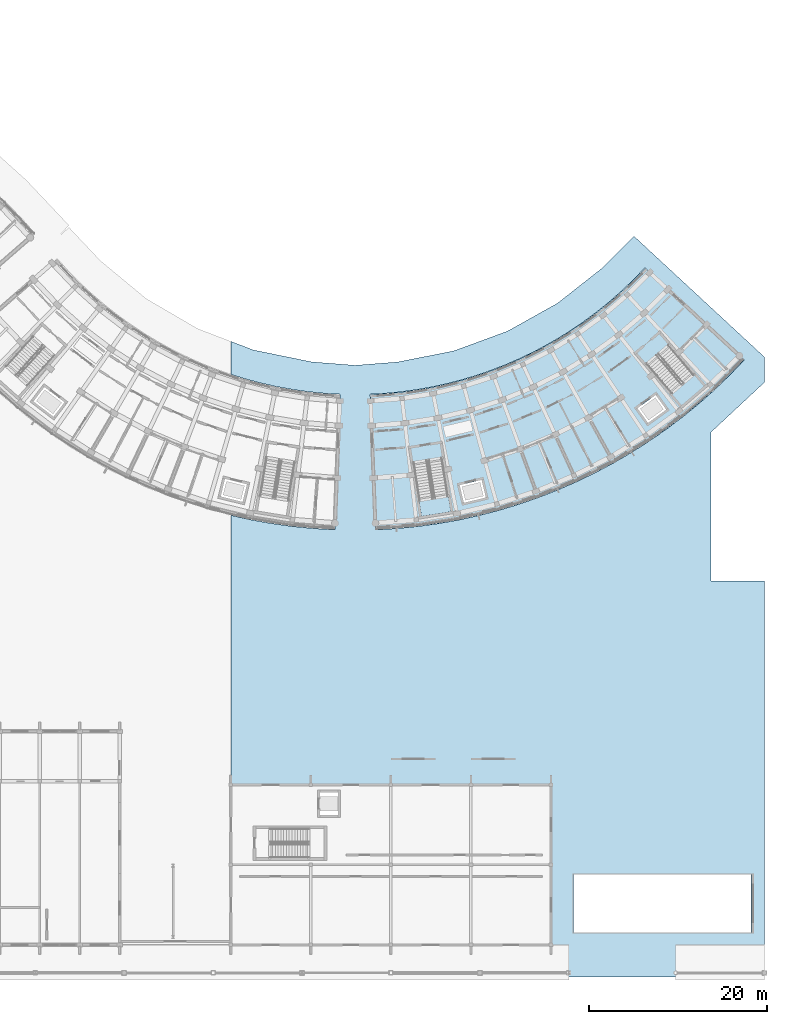
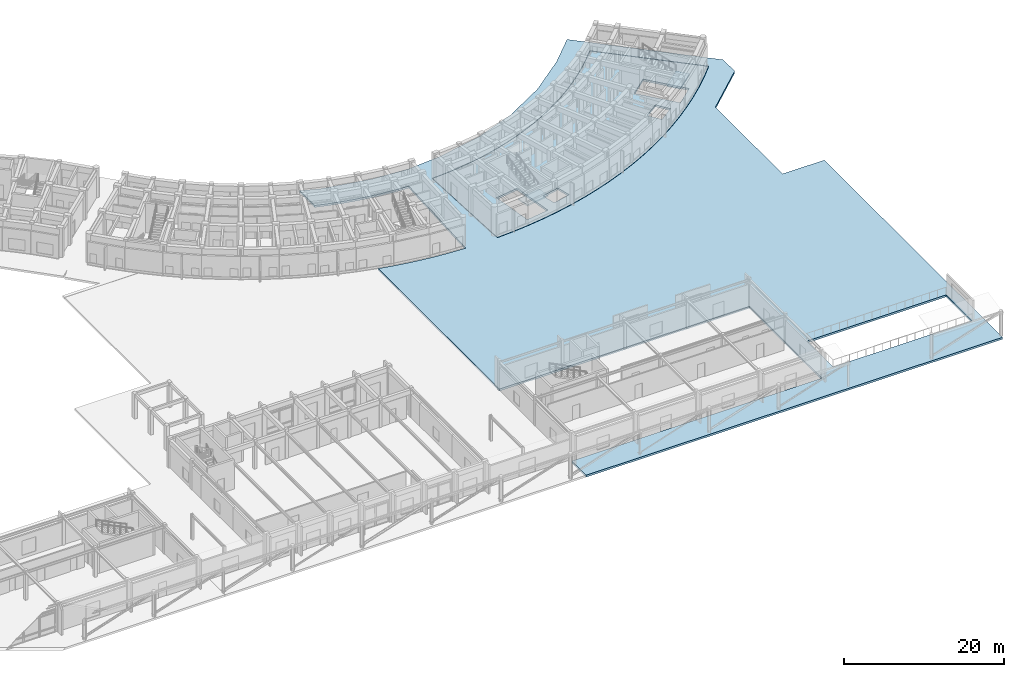
# One storey, part 22 of 61: 4 slabs, 2 elements without a shape of their own.
"""IFC4 building model written with IfcOpenShell, lengths in metres."""

from ifc_helpers import new_model, si_unit, direction, frame, origin, place, context, subcontext, project, spatial, polyline, outline, extrude, material, layer, layer_set, type_object, element, aggregate, save


model = new_model("IFC4")

# Units and contexts
model_context = context("Model", 3, precision=1e-05, world=origin(), true_north=direction((0.0, 1.0)))
body_context = subcontext(model_context, "Body", "Model", "MODEL_VIEW")
ifc_project = project(units=[si_unit("LENGTHUNIT", "METRE"), si_unit("AREAUNIT", "SQUARE_METRE"), si_unit("VOLUMEUNIT", "CUBIC_METRE"), si_unit("PLANEANGLEUNIT", "RADIAN"), si_unit("MASSUNIT", "GRAM", prefix="KILO")], contexts=[model_context])

# Site, building, storey
site_placement = place(None, origin())
site = spatial("IfcSite", under=ifc_project, at=site_placement, CompositionType="ELEMENT")
building_placement = place(site_placement, origin())
building = spatial("IfcBuilding", under=site, at=building_placement, Name="Zimvara Arc Housing Community", CompositionType="ELEMENT")
storey_placement = place(building_placement, origin())
storey = spatial("IfcBuildingStorey", under=building, at=storey_placement, Name="L00", CompositionType="ELEMENT", Elevation=0.0)

# Slabs
ifc_material_1 = material(Name="Concrete C40/50", Category="concrete")
ifc_layer_1 = layer(ifc_material_1, 0.300048828125)
ifc_layer_set_1 = layer_set([ifc_layer_1], Name="Concrete C40/50")
slab_type_1 = type_object("IfcSlabType", Name="SLB-POD-300", PredefinedType="FLOOR", material=ifc_layer_set_1)
slab_1_placement = place(storey_placement, frame((0.0, 0.0, -0.300048828125)))
element("IfcSlab", 1, at=slab_1_placement, inside=storey, type_object=slab_type_1, Name="slab:blkD:L00:main", PredefinedType="FLOOR", context=body_context, shape_type="SweptSolid", body=[
    extrude(outline(polyline([(128.267822265625, 50.303955078125), (130.604248046875, 50.439697265625), (132.93359375, 50.6669921875), (135.252197265625, 50.985595703125), (137.556396484375, 51.39501953125), (139.8427734375, 51.89453125), (142.10791015625, 52.483642578125), (144.347900390625, 53.160888671875), (146.559814453125, 53.92578125), (148.739990234375, 54.77685546875), (150.884765625, 55.712890625), (152.991455078125, 56.732421875), (155.056396484375, 57.833740234375), (157.07666015625, 59.015380859375), (159.048828125, 60.275634765625), (160.969970703125, 61.612060546875), (162.837158203125, 63.02294921875), (164.6474609375, 64.506103515625), (166.3984375, 66.05908203125), (168.086669921875, 67.6796875), (169.710205078125, 69.365234375), (158.5576171875, 79.69287109375), (157.34814453125, 78.43701171875), (156.09033203125, 77.229736328125), (154.7861328125, 76.07275390625), (153.437255859375, 74.968017578125), (152.04638671875, 73.9169921875), (150.614990234375, 72.921142578125), (149.14599609375, 71.982666015625), (147.640869140625, 71.102294921875), (146.1025390625, 70.28173828125), (144.533203125, 69.522216796875), (142.935302734375, 68.824951171875), (141.311279296875, 68.19091796875), (139.66357421875, 67.62109375), (137.99462890625, 67.116455078125), (136.307373046875, 66.677734375), (134.60400390625, 66.3056640625), (132.887451171875, 66.00048828125), (131.16015625, 65.76318359375), (129.425048828125, 65.59375), (127.684326171875, 65.49267578125), (128.267822265625, 50.303955078125)]), holes=[polyline([(135.751953125, 58.35302734375), (136.700927734375, 52.327392578125), (133.4609375, 51.817138671875), (132.511962890625, 57.8427734375), (135.751953125, 58.35302734375)]), polyline([(161.224365234375, 71.049072265625), (165.181884765625, 66.4072265625), (162.685791015625, 64.279052734375), (158.728271484375, 68.921142578125), (161.224365234375, 71.049072265625)]), polyline([(140.194091796875, 55.8857421875), (140.66845703125, 53.90185546875), (138.1982421875, 53.31103515625), (137.7236328125, 55.294921875), (140.194091796875, 55.8857421875)]), polyline([(159.76708984375, 65.433837890625), (160.96484375, 63.782470703125), (158.908447265625, 62.291259765625), (157.7109375, 63.942626953125), (159.76708984375, 65.433837890625)])]), origin(), (0.0, 0.0, 1.0), 0.300048828125),
])
slab_2_placement = place(storey_placement, frame((0.0, 0.0, -0.300048828125)))
element("IfcSlab", 2, at=slab_2_placement, inside=storey, type_object=slab_type_1, Name="slab:L00:plaza:3", PredefinedType="FLOOR", context=body_context, shape_type="SweptSolid", body=[
    extrude(outline(polyline([(112.010009765625, 71.45458984375), (112.010009765625, 67.739501953125), (113.568603515625, 67.250732421875), (115.318603515625, 66.779541015625), (117.08642578125, 66.380126953125), (118.869140625, 66.053466796875), (120.663818359375, 65.799560546875), (122.467041015625, 65.619140625), (124.27685546875, 65.5126953125), (124.278564453125, 65.512451171875), (124.280517578125, 65.51220703125), (124.282470703125, 65.511474609375), (124.2841796875, 65.5107421875), (124.285888671875, 65.509765625), (124.28759765625, 65.5087890625), (124.2890625, 65.507568359375), (124.290283203125, 65.506103515625), (124.29150390625, 65.504638671875), (124.292724609375, 65.503173828125), (124.293701171875, 65.50146484375), (124.29443359375, 65.49951171875), (124.294921875, 65.497802734375), (124.29541015625, 65.495849609375), (124.295654296875, 65.493896484375), (124.295654296875, 65.491943359375), (123.712158203125, 50.30322265625), (123.7119140625, 50.30126953125), (123.71142578125, 50.29931640625), (123.7109375, 50.29736328125), (123.710205078125, 50.29541015625), (123.709228515625, 50.293701171875), (123.708251953125, 50.2919921875), (123.70703125, 50.29052734375), (123.70556640625, 50.2890625), (123.7041015625, 50.287841796875), (123.702392578125, 50.286865234375), (123.70068359375, 50.285888671875), (123.69873046875, 50.28515625), (123.69677734375, 50.284423828125), (123.69482421875, 50.2841796875), (123.69287109375, 50.283935546875), (123.69091796875, 50.283935546875), (121.26123046875, 50.427001953125), (121.26025390625, 50.427001953125), (118.838623046875, 50.669189453125), (118.837646484375, 50.66943359375), (116.427734375, 51.01025390625), (116.427001953125, 51.01025390625), (114.032958984375, 51.44921875), (114.0322265625, 51.449462890625), (112.010009765625, 51.90625), (112.010009765625, 21.6201171875), (148.0, 21.6201171875), (148.001953125, 21.619873046875), (148.00390625, 21.61962890625), (148.005859375, 21.619140625), (148.007568359375, 21.618408203125), (148.009521484375, 21.61767578125), (148.01123046875, 21.61669921875), (148.0126953125, 21.615478515625), (148.01416015625, 21.6142578125), (148.015380859375, 21.61279296875), (148.0166015625, 21.611083984375), (148.017578125, 21.609375), (148.0185546875, 21.607666015625), (148.01904296875, 21.605712890625), (148.01953125, 21.60400390625), (148.02001953125, 21.60205078125), (148.02001953125, 21.60009765625), (148.02001953125, 3.60009765625), (148.02001953125, 3.59814453125), (148.01953125, 3.59619140625), (148.01904296875, 3.59423828125), (148.0185546875, 3.59228515625), (148.017578125, 3.590576171875), (148.0166015625, 3.5888671875), (148.015380859375, 3.58740234375), (148.01416015625, 3.5859375), (148.0126953125, 3.58447265625), (148.01123046875, 3.583251953125), (148.009521484375, 3.582275390625), (148.007568359375, 3.58154296875), (148.005859375, 3.580810546875), (148.00390625, 3.580322265625), (148.001953125, 3.580078125), (148.0, 3.580078125), (112.010009765625, 3.580078125), (112.010009765625, 0.0), (172.0, 0.0), (172.0, 44.5), (166.0, 44.5), (166.0, 61.253173828125), (172.0, 66.8486328125), (172.0, 69.6982421875), (157.3369140625, 83.276611328125), (153.78369140625, 79.7294921875), (148.727783203125, 75.7509765625), (143.112060546875, 72.6123046875), (137.07421875, 70.39111328125), (130.76318359375, 69.141357421875), (125.96484375, 68.76806640625), (121.06884765625, 69.15673828125), (114.514404296875, 70.497314453125), (112.010009765625, 71.45458984375)]), holes=[polyline([(170.5, 11.5), (170.5, 5.0), (150.5, 5.0), (150.5, 11.5), (170.5, 11.5)]), polyline([(127.66455078125, 65.493896484375), (127.66455078125, 65.495849609375), (127.6650390625, 65.497802734375), (127.66552734375, 65.49951171875), (127.666259765625, 65.50146484375), (127.667236328125, 65.503173828125), (127.66845703125, 65.504638671875), (127.669677734375, 65.506103515625), (127.6708984375, 65.507568359375), (127.67236328125, 65.5087890625), (127.674072265625, 65.509765625), (127.67578125, 65.5107421875), (127.677490234375, 65.511474609375), (127.679443359375, 65.51220703125), (127.681396484375, 65.512451171875), (127.683349609375, 65.5126953125), (129.42333984375, 65.61376953125), (131.157958984375, 65.783203125), (132.88427734375, 66.020263671875), (134.60009765625, 66.3251953125), (136.302734375, 66.697265625), (137.9892578125, 67.1357421875), (139.6572265625, 67.64013671875), (141.304443359375, 68.209716796875), (142.927734375, 68.843505859375), (144.52490234375, 69.54052734375), (146.093505859375, 70.299560546875), (147.631103515625, 71.11962890625), (149.135498046875, 71.99951171875), (150.60400390625, 72.93798828125), (152.03466796875, 73.93310546875), (153.425048828125, 74.983642578125), (154.77294921875, 76.088134765625), (156.07666015625, 77.244384765625), (157.333984375, 78.451171875), (158.543212890625, 79.706787109375), (158.544677734375, 79.7080078125), (158.546142578125, 79.709228515625), (158.5478515625, 79.710205078125), (158.549560546875, 79.711181640625), (158.55126953125, 79.711669921875), (158.55322265625, 79.71240234375), (158.55517578125, 79.712646484375), (158.55712890625, 79.712890625), (158.55908203125, 79.712646484375), (158.560791015625, 79.712646484375), (158.562744140625, 79.712158203125), (158.564697265625, 79.71142578125), (158.56640625, 79.710693359375), (158.568115234375, 79.709716796875), (158.56982421875, 79.708740234375), (158.5712890625, 79.70751953125), (169.723876953125, 69.3798828125), (169.725341796875, 69.378662109375), (169.7265625, 69.376953125), (169.7275390625, 69.375244140625), (169.728515625, 69.37353515625), (169.729248046875, 69.371826171875), (169.729736328125, 69.369873046875), (169.730224609375, 69.367919921875), (169.730224609375, 69.365966796875), (169.730224609375, 69.36376953125), (169.72998046875, 69.36181640625), (169.7294921875, 69.35986328125), (169.72900390625, 69.358154296875), (169.728271484375, 69.356201171875), (169.72705078125, 69.3544921875), (169.72607421875, 69.35302734375), (169.724609375, 69.351318359375), (168.10107421875, 67.665771484375), (168.1005859375, 67.665283203125), (166.412109375, 66.044677734375), (166.41162109375, 66.044189453125), (164.660888671875, 64.490966796875), (164.66015625, 64.490478515625), (162.849853515625, 63.007568359375), (162.84912109375, 63.007080078125), (160.98193359375, 61.59619140625), (160.9814453125, 61.595703125), (159.06005859375, 60.259033203125), (159.0595703125, 60.2587890625), (157.08740234375, 58.99853515625), (157.086669921875, 58.998291015625), (155.066650390625, 57.816650390625), (155.06591796875, 57.816162109375), (153.0009765625, 56.71484375), (153.000244140625, 56.71435546875), (150.8935546875, 55.69482421875), (150.892822265625, 55.694580078125), (148.747802734375, 54.758544921875), (148.7470703125, 54.75830078125), (146.567138671875, 53.9072265625), (146.56640625, 53.906982421875), (144.3544921875, 53.14208984375), (144.353759765625, 53.141845703125), (142.113525390625, 52.46435546875), (142.11279296875, 52.464111328125), (139.847900390625, 51.875244140625), (139.846923828125, 51.875), (137.560546875, 51.37548828125), (137.559814453125, 51.37548828125), (135.255615234375, 50.966064453125), (135.2548828125, 50.9658203125), (132.936279296875, 50.647216796875), (132.935546875, 50.647216796875), (130.606201171875, 50.419677734375), (130.60546875, 50.419677734375), (128.26904296875, 50.283935546875), (128.26708984375, 50.283935546875), (128.26513671875, 50.2841796875), (128.26318359375, 50.284423828125), (128.26123046875, 50.28515625), (128.259521484375, 50.285888671875), (128.257568359375, 50.286865234375), (128.256103515625, 50.287841796875), (128.25439453125, 50.2890625), (128.253173828125, 50.29052734375), (128.251708984375, 50.2919921875), (128.250732421875, 50.293701171875), (128.249755859375, 50.29541015625), (128.2490234375, 50.29736328125), (128.24853515625, 50.29931640625), (128.248046875, 50.30126953125), (128.248046875, 50.30322265625), (127.66455078125, 65.491943359375), (127.66455078125, 65.493896484375)])]), origin(), (0.0, 0.0, 1.0), 0.300048828125),
])

# Stair, slab
ifc_material_2 = material(Name="Concrete C35/45", Category="concrete")
stair_type_1 = type_object("IfcStairType", Name="STR-DL-310-450", PredefinedType="HALF_TURN_STAIR", material=ifc_material_2)
stair_1_placement = place(storey_placement, origin())
stair_1 = element("IfcStair", 3, at=stair_1_placement, inside=storey, type_object=stair_type_1, Name="L00 Block D Exit Stair 1", PredefinedType="HALF_TURN_STAIR")
ifc_material_3 = material(Name="Concrete C35/45", Category="concrete")
ifc_layer_2 = layer(ifc_material_3, 0.199951171875)
ifc_layer_set_2 = layer_set([ifc_layer_2], Name="Concrete C35/45")
slab_type_2 = type_object("IfcSlabType", Name="SLB-STAIR-LND-200", PredefinedType="LANDING", material=ifc_layer_set_2)
slab_3_placement = place(storey_placement, frame((0.0, 0.0, 2.050048828125)))
slab_3 = element("IfcSlab", 4, at=slab_3_placement, type_object=slab_type_2, Name="ST-D1 landing 1", PredefinedType="LANDING", context=body_context, shape_type="SweptSolid", body=[
    extrude(outline(polyline([(133.141357421875, 53.589111328125), (133.427734375, 51.771484375), (136.746826171875, 52.294189453125), (136.46044921875, 54.11181640625), (133.141357421875, 53.589111328125)])), origin(), (0.0, 0.0, 1.0), 0.199951171875),
])
aggregate(stair_1, [slab_3])

ifc_material_4 = material(Name="Concrete C35/45", Category="concrete")
stair_type_2 = type_object("IfcStairType", Name="STR-DL-312-450", PredefinedType="HALF_TURN_STAIR", material=ifc_material_4)
stair_2_placement = place(storey_placement, origin())
stair_2 = element("IfcStair", 5, at=stair_2_placement, inside=storey, type_object=stair_type_2, Name="L00 Block D Exit Stair 2", PredefinedType="HALF_TURN_STAIR")
slab_4_placement = place(storey_placement, frame((0.0, 0.0, 2.050048828125)))
slab_4 = element("IfcSlab", 6, at=slab_4_placement, type_object=slab_type_2, Name="ST-D2 landing 1", PredefinedType="LANDING", context=body_context, shape_type="SweptSolid", body=[
    extrude(outline(polyline([(161.505859375, 65.6015625), (162.681396484375, 64.22265625), (165.23828125, 66.402587890625), (164.062744140625, 67.781494140625), (161.505859375, 65.6015625)])), origin(), (0.0, 0.0, 1.0), 0.199951171875),
])
aggregate(stair_2, [slab_4])

save(model, "model.ifc")
